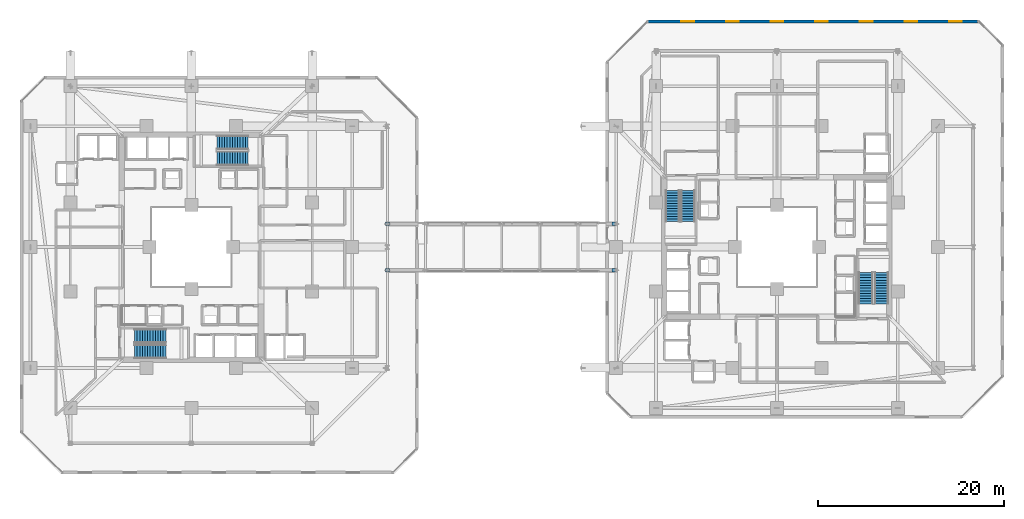
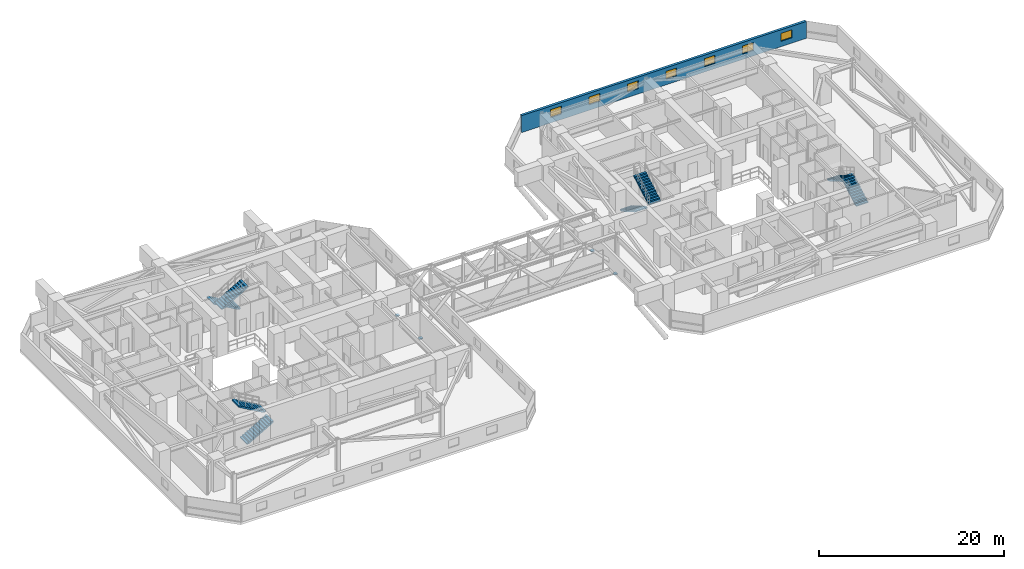
# One storey, part 36 of 38: 8 stair flights, 7 windows, 4 discrete accessories, 1 wall, 7 openings, 4 elements without a shape of their own.
"""IFC4 building model written with IfcOpenShell, lengths in metres."""

from ifc_helpers import new_model, si_unit, direction, frame, frame_2d, origin, origin_2d, place, context, subcontext, project, spatial, polyline, rectangle, outline, extrude, material, layer, layer_set, type_object, element, fill, aggregate, save


model = new_model("IFC4")

# Units and contexts
model_context = context("Model", 3, precision=1e-05, world=origin(), true_north=direction((0.0, 1.0)))
body_context = subcontext(model_context, "Body", "Model", "MODEL_VIEW")
ifc_project = project(units=[si_unit("LENGTHUNIT", "METRE"), si_unit("AREAUNIT", "SQUARE_METRE"), si_unit("VOLUMEUNIT", "CUBIC_METRE"), si_unit("PLANEANGLEUNIT", "RADIAN"), si_unit("MASSUNIT", "GRAM", prefix="KILO")], contexts=[model_context])

# Site, building, storey
site_placement = place(None, origin())
site = spatial("IfcSite", under=ifc_project, at=site_placement, CompositionType="ELEMENT")
building_placement = place(site_placement, origin())
building = spatial("IfcBuilding", under=site, at=building_placement, Name="Thornwick Lancets Civic Towers", CompositionType="ELEMENT")
storey_placement = place(building_placement, frame((0.0, 0.0, 71.699951171875)))
storey = spatial("IfcBuildingStorey", under=building, at=storey_placement, Name="L18", CompositionType="ELEMENT", Elevation=71.699951171875)

# Wall, openings, windows
ifc_material_1 = material(Name="Insulated buff terracotta rainscreen on concrete C40/50", Category="masonry")
ifc_layer = layer(ifc_material_1, 0.320068359375, Name="Insulated buff terracotta rainscreen on concrete C40/50")
ifc_layer_set = layer_set([ifc_layer], Name="Insulated buff terracotta rainscreen on concrete C40/50")
wall_type = type_object("IfcWallType", Name="WALL_EXT_TERRA_320", PredefinedType="STANDARD", material=ifc_layer_set)
wall_placement = place(storey_placement, frame((110.18115234375, 51.264892578125, 0.0), z_axis=(0.0, 0.0, 1.0), x_axis=(-0.999999986432, -0.000164732205, 0.0)))
wall = element("IfcWall", 1, at=wall_placement, inside=storey, type_object=wall_type, Name="L18 Tower B Terracotta Facade Wall E4", PredefinedType="STANDARD", context=body_context, shape_type="SweptSolid", body=[
    extrude(rectangle(XDim=35.569091796875, YDim=0.320068359375, at=frame_2d((17.78466796875, 0.0))), origin(), (0.0, 0.0, 1.0), 2.239990234375),
])
opening_1_placement = place(wall_placement, frame((1.800048828125, 0.0, 0.719970703125)))
opening_1 = element("IfcOpeningElement", 2, at=opening_1_placement, cuts=wall, Name="Opening WL-03", PredefinedType="OPENING", context=body_context, shape_type="SweptSolid", body=[
    extrude(rectangle(XDim=1.35009765625, YDim=1.050048828125, at=frame_2d((0.675048828125, 0.52490234375))), frame((0.0, 0.169921875, 0.0), z_axis=(0.0, -1.0, 0.0), x_axis=(1.0, 0.0, 0.0)), (0.0, 0.0, 1.0), 0.340087890625),
])
opening_2_placement = place(wall_placement, frame((6.60009765625, 0.0, 0.719970703125)))
opening_2 = element("IfcOpeningElement", 3, at=opening_2_placement, cuts=wall, Name="Opening WL-03", PredefinedType="OPENING", context=body_context, shape_type="SweptSolid", body=[
    extrude(rectangle(XDim=1.35009765625, YDim=1.050048828125, at=frame_2d((0.675048828125, 0.52490234375))), frame((0.0, 0.169921875, 0.0), z_axis=(0.0, -1.0, 0.0), x_axis=(1.0, 0.0, 0.0)), (0.0, 0.0, 1.0), 0.340087890625),
])
opening_3_placement = place(wall_placement, frame((11.39990234375, 0.0, 0.719970703125)))
opening_3 = element("IfcOpeningElement", 4, at=opening_3_placement, cuts=wall, Name="Opening WL-03", PredefinedType="OPENING", context=body_context, shape_type="SweptSolid", body=[
    extrude(rectangle(XDim=1.35009765625, YDim=1.050048828125, at=frame_2d((0.675048828125, 0.52490234375))), frame((0.0, 0.169921875, 0.0), z_axis=(0.0, -1.0, 0.0), x_axis=(1.0, 0.0, 0.0)), (0.0, 0.0, 1.0), 0.340087890625),
])
opening_4_placement = place(wall_placement, frame((16.199951171875, 0.0, 0.719970703125)))
opening_4 = element("IfcOpeningElement", 5, at=opening_4_placement, cuts=wall, Name="Opening WL-03", PredefinedType="OPENING", context=body_context, shape_type="SweptSolid", body=[
    extrude(rectangle(XDim=1.35009765625, YDim=1.050048828125, at=frame_2d((0.675048828125, 0.52490234375))), frame((0.0, 0.169921875, 0.0), z_axis=(0.0, -1.0, 0.0), x_axis=(1.0, 0.0, 0.0)), (0.0, 0.0, 1.0), 0.340087890625),
])
opening_5_placement = place(wall_placement, frame((21.0, 0.0, 0.719970703125)))
opening_5 = element("IfcOpeningElement", 6, at=opening_5_placement, cuts=wall, Name="Opening WL-03", PredefinedType="OPENING", context=body_context, shape_type="SweptSolid", body=[
    extrude(rectangle(XDim=1.35009765625, YDim=1.050048828125, at=frame_2d((0.675048828125, 0.52490234375))), frame((0.0, 0.169921875, 0.0), z_axis=(0.0, -1.0, 0.0), x_axis=(1.0, 0.0, 0.0)), (0.0, 0.0, 1.0), 0.340087890625),
])
opening_6_placement = place(wall_placement, frame((25.800048828125, 0.0, 0.719970703125)))
opening_6 = element("IfcOpeningElement", 7, at=opening_6_placement, cuts=wall, Name="Opening WL-03", PredefinedType="OPENING", context=body_context, shape_type="SweptSolid", body=[
    extrude(rectangle(XDim=1.35009765625, YDim=1.050048828125, at=frame_2d((0.675048828125, 0.52490234375))), frame((0.0, 0.169921875, 0.0), z_axis=(0.0, -1.0, 0.0), x_axis=(1.0, 0.0, 0.0)), (0.0, 0.0, 1.0), 0.340087890625),
])
opening_7_placement = place(wall_placement, frame((30.60009765625, 0.0, 0.719970703125)))
opening_7 = element("IfcOpeningElement", 8, at=opening_7_placement, cuts=wall, Name="Opening WL-03", PredefinedType="OPENING", context=body_context, shape_type="SweptSolid", body=[
    extrude(rectangle(XDim=1.35009765625, YDim=1.050048828125, at=frame_2d((0.675048828125, 0.52490234375))), frame((0.0, 0.169921875, 0.0), z_axis=(0.0, -1.0, 0.0), x_axis=(1.0, 0.0, 0.0)), (0.0, 0.0, 1.0), 0.340087890625),
])
ifc_material_2 = material(Name="Clear low-e double glazing clerestory lancet", Category="glass")
window_type = type_object("IfcWindowType", Name="WIN_LANCET_1350", PartitioningType="SINGLE_PANEL", PredefinedType="WINDOW", material=ifc_material_2)
window_1_placement = place(opening_1_placement, origin())
window_1 = element("IfcWindow", 9, at=window_1_placement, inside=storey, type_object=window_type, Name="L18 Tower B Staggered Lancet Window E4-1", OverallHeight=1.050048828125, OverallWidth=1.35009765625, PartitioningType="SINGLE_PANEL", PredefinedType="WINDOW", context=body_context, shape_type="SweptSolid", body=[
    extrude(rectangle(XDim=1.35009765625, YDim=1.050048828125, at=frame_2d((0.675048828125, 0.52490234375))), frame((0.0, 0.030029296875, 0.0), z_axis=(0.0, -1.0, 0.0), x_axis=(1.0, 0.0, 0.0)), (0.0, 0.0, 1.0), 0.06005859375),
])
fill(opening_1, window_1)
window_2_placement = place(opening_2_placement, origin())
window_2 = element("IfcWindow", 10, at=window_2_placement, inside=storey, type_object=window_type, Name="L18 Tower B Staggered Lancet Window E4-2", OverallHeight=1.050048828125, OverallWidth=1.35009765625, PartitioningType="SINGLE_PANEL", PredefinedType="WINDOW", context=body_context, shape_type="SweptSolid", body=[
    extrude(rectangle(XDim=1.35009765625, YDim=1.050048828125, at=frame_2d((0.675048828125, 0.52490234375))), frame((0.0, 0.030029296875, 0.0), z_axis=(0.0, -1.0, 0.0), x_axis=(1.0, 0.0, 0.0)), (0.0, 0.0, 1.0), 0.06005859375),
])
fill(opening_2, window_2)
window_3_placement = place(opening_3_placement, origin())
window_3 = element("IfcWindow", 11, at=window_3_placement, inside=storey, type_object=window_type, Name="L18 Tower B Staggered Lancet Window E4-3", OverallHeight=1.050048828125, OverallWidth=1.35009765625, PartitioningType="SINGLE_PANEL", PredefinedType="WINDOW", context=body_context, shape_type="SweptSolid", body=[
    extrude(rectangle(XDim=1.35009765625, YDim=1.050048828125, at=frame_2d((0.675048828125, 0.52490234375))), frame((0.0, 0.030029296875, 0.0), z_axis=(0.0, -1.0, 0.0), x_axis=(1.0, 0.0, 0.0)), (0.0, 0.0, 1.0), 0.06005859375),
])
fill(opening_3, window_3)
window_4_placement = place(opening_4_placement, origin())
window_4 = element("IfcWindow", 12, at=window_4_placement, inside=storey, type_object=window_type, Name="L18 Tower B Staggered Lancet Window E4-4", OverallHeight=1.050048828125, OverallWidth=1.35009765625, PartitioningType="SINGLE_PANEL", PredefinedType="WINDOW", context=body_context, shape_type="SweptSolid", body=[
    extrude(rectangle(XDim=1.35009765625, YDim=1.050048828125, at=frame_2d((0.675048828125, 0.52490234375))), frame((0.0, 0.030029296875, 0.0), z_axis=(0.0, -1.0, 0.0), x_axis=(1.0, 0.0, 0.0)), (0.0, 0.0, 1.0), 0.06005859375),
])
fill(opening_4, window_4)
window_5_placement = place(opening_5_placement, origin())
window_5 = element("IfcWindow", 13, at=window_5_placement, inside=storey, type_object=window_type, Name="L18 Tower B Staggered Lancet Window E4-5", OverallHeight=1.050048828125, OverallWidth=1.35009765625, PartitioningType="SINGLE_PANEL", PredefinedType="WINDOW", context=body_context, shape_type="SweptSolid", body=[
    extrude(rectangle(XDim=1.35009765625, YDim=1.050048828125, at=frame_2d((0.675048828125, 0.52490234375))), frame((0.0, 0.030029296875, 0.0), z_axis=(0.0, -1.0, 0.0), x_axis=(1.0, 0.0, 0.0)), (0.0, 0.0, 1.0), 0.06005859375),
])
fill(opening_5, window_5)
window_6_placement = place(opening_6_placement, origin())
window_6 = element("IfcWindow", 14, at=window_6_placement, inside=storey, type_object=window_type, Name="L18 Tower B Staggered Lancet Window E4-6", OverallHeight=1.050048828125, OverallWidth=1.35009765625, PartitioningType="SINGLE_PANEL", PredefinedType="WINDOW", context=body_context, shape_type="SweptSolid", body=[
    extrude(rectangle(XDim=1.35009765625, YDim=1.050048828125, at=frame_2d((0.675048828125, 0.52490234375))), frame((0.0, 0.030029296875, 0.0), z_axis=(0.0, -1.0, 0.0), x_axis=(1.0, 0.0, 0.0)), (0.0, 0.0, 1.0), 0.06005859375),
])
fill(opening_6, window_6)
window_7_placement = place(opening_7_placement, origin())
window_7 = element("IfcWindow", 15, at=window_7_placement, inside=storey, type_object=window_type, Name="L18 Tower B Staggered Lancet Window E4-7", OverallHeight=1.050048828125, OverallWidth=1.35009765625, PartitioningType="SINGLE_PANEL", PredefinedType="WINDOW", context=body_context, shape_type="SweptSolid", body=[
    extrude(rectangle(XDim=1.35009765625, YDim=1.050048828125, at=frame_2d((0.675048828125, 0.52490234375))), frame((0.0, 0.030029296875, 0.0), z_axis=(0.0, -1.0, 0.0), x_axis=(1.0, 0.0, 0.0)), (0.0, 0.0, 1.0), 0.06005859375),
])
fill(opening_7, window_7)

# Stair, stair flights
ifc_material_3 = material(Name="Concrete C40/50", Category="concrete")
stair_type = type_object("IfcStairType", Name="STAIR_DL_4200", PredefinedType="HALF_TURN_STAIR", material=ifc_material_3)
stair_1_placement = place(storey_placement, origin())
stair_1 = element("IfcStair", 16, at=stair_1_placement, inside=storey, type_object=stair_type, Name="L18 Tower A South Exit Stair ST-A1", PredefinedType="HALF_TURN_STAIR")
stair_flight_type = type_object("IfcStairFlightType", Name="FLIGHT_4200", PredefinedType="STRAIGHT", material=ifc_material_3)
stair_flight_1_placement = place(storey_placement, frame((19.39990234375, 15.75, 0.0), z_axis=(0.0, 0.0, 1.0), x_axis=(1.0, 0.0, 0.0)))
stair_flight_1 = element("IfcStairFlight", 17, at=stair_flight_1_placement, type_object=stair_flight_type, Name="ST-A1 flight 1", NumberOfRisers=13, NumberOfTreads=12, PredefinedType="STRAIGHT", RiserHeight=0.161538462, TreadLength=0.28, context=body_context, shape_type="SweptSolid", body=[
    extrude(outline(polyline([(0.0, 0.0), (0.0, 0.16162109375), (0.280029296875, 0.16162109375), (0.280029296875, 0.322998046875), (0.56005859375, 0.322998046875), (0.56005859375, 0.484619140625), (0.840087890625, 0.484619140625), (0.840087890625, 0.646240234375), (1.1201171875, 0.646240234375), (1.1201171875, 0.8076171875), (1.39990234375, 0.8076171875), (1.39990234375, 0.96923828125), (1.679931640625, 0.96923828125), (1.679931640625, 1.130859375), (1.9599609375, 1.130859375), (1.9599609375, 1.292236328125), (2.239990234375, 1.292236328125), (2.239990234375, 1.453857421875), (2.52001953125, 1.453857421875), (2.52001953125, 1.615478515625), (2.800048828125, 1.615478515625), (2.800048828125, 1.77685546875), (3.080078125, 1.77685546875), (3.080078125, 1.9384765625), (3.360107421875, 1.9384765625), (3.360107421875, 2.10009765625), (3.360107421875, 1.765380859375), (0.300048828125, 0.0), (0.0, 0.0)])), frame((0.0, 0.75, 0.0), z_axis=(0.0, -1.0, 0.0), x_axis=(1.0, 0.0, 0.0)), (0.0, 0.0, 1.0), 1.5),
])
stair_flight_2_placement = place(storey_placement, frame((22.760009765625, 17.449951171875, 2.10009765625), z_axis=(0.0, 0.0, 1.0), x_axis=(-1.0, 0.0, 0.0)))
stair_flight_2 = element("IfcStairFlight", 18, at=stair_flight_2_placement, type_object=stair_flight_type, Name="ST-A1 flight 2", NumberOfRisers=13, NumberOfTreads=12, PredefinedType="STRAIGHT", RiserHeight=0.161538462, TreadLength=0.28, context=body_context, shape_type="SweptSolid", body=[
    extrude(outline(polyline([(0.0, 0.0), (0.0, 0.16162109375), (0.280029296875, 0.16162109375), (0.280029296875, 0.322998046875), (0.56005859375, 0.322998046875), (0.56005859375, 0.484619140625), (0.840087890625, 0.484619140625), (0.840087890625, 0.646240234375), (1.1201171875, 0.646240234375), (1.1201171875, 0.8076171875), (1.39990234375, 0.8076171875), (1.39990234375, 0.96923828125), (1.679931640625, 0.96923828125), (1.679931640625, 1.130859375), (1.9599609375, 1.130859375), (1.9599609375, 1.292236328125), (2.239990234375, 1.292236328125), (2.239990234375, 1.453857421875), (2.52001953125, 1.453857421875), (2.52001953125, 1.615478515625), (2.800048828125, 1.615478515625), (2.800048828125, 1.77685546875), (3.080078125, 1.77685546875), (3.080078125, 1.9384765625), (3.360107421875, 1.9384765625), (3.360107421875, 2.10009765625), (3.360107421875, 1.765380859375), (0.300048828125, 0.0), (0.0, 0.0)])), frame((0.0, 0.75, 0.0), z_axis=(0.0, -1.0, 0.0), x_axis=(1.0, 0.0, 0.0)), (0.0, 0.0, 1.0), 1.5),
])
aggregate(stair_1, [stair_flight_1, stair_flight_2])

stair_2_placement = place(storey_placement, origin())
stair_2 = element("IfcStair", 19, at=stair_2_placement, inside=storey, type_object=stair_type, Name="L18 Tower A North Exit Stair ST-A2", PredefinedType="HALF_TURN_STAIR")
stair_flight_3_placement = place(storey_placement, frame((31.60009765625, 38.25, 0.0), z_axis=(0.0, 0.0, 1.0), x_axis=(-1.0, 0.0, 0.0)))
stair_flight_3 = element("IfcStairFlight", 20, at=stair_flight_3_placement, type_object=stair_flight_type, Name="ST-A2 flight 1", NumberOfRisers=13, NumberOfTreads=12, PredefinedType="STRAIGHT", RiserHeight=0.161538462, TreadLength=0.28, context=body_context, shape_type="SweptSolid", body=[
    extrude(outline(polyline([(0.0, 0.0), (0.0, 0.16162109375), (0.280029296875, 0.16162109375), (0.280029296875, 0.322998046875), (0.56005859375, 0.322998046875), (0.56005859375, 0.484619140625), (0.840087890625, 0.484619140625), (0.840087890625, 0.646240234375), (1.1201171875, 0.646240234375), (1.1201171875, 0.8076171875), (1.39990234375, 0.8076171875), (1.39990234375, 0.96923828125), (1.679931640625, 0.96923828125), (1.679931640625, 1.130859375), (1.9599609375, 1.130859375), (1.9599609375, 1.292236328125), (2.239990234375, 1.292236328125), (2.239990234375, 1.453857421875), (2.52001953125, 1.453857421875), (2.52001953125, 1.615478515625), (2.800048828125, 1.615478515625), (2.800048828125, 1.77685546875), (3.080078125, 1.77685546875), (3.080078125, 1.9384765625), (3.360107421875, 1.9384765625), (3.360107421875, 2.10009765625), (3.360107421875, 1.765380859375), (0.300048828125, 0.0), (0.0, 0.0)])), frame((0.0, 0.75, 0.0), z_axis=(0.0, -1.0, 0.0), x_axis=(1.0, 0.0, 0.0)), (0.0, 0.0, 1.0), 1.5),
])
stair_flight_4_placement = place(storey_placement, frame((28.239990234375, 36.550048828125, 2.10009765625), z_axis=(0.0, 0.0, 1.0), x_axis=(1.0, 0.0, 0.0)))
stair_flight_4 = element("IfcStairFlight", 21, at=stair_flight_4_placement, type_object=stair_flight_type, Name="ST-A2 flight 2", NumberOfRisers=13, NumberOfTreads=12, PredefinedType="STRAIGHT", RiserHeight=0.161538462, TreadLength=0.28, context=body_context, shape_type="SweptSolid", body=[
    extrude(outline(polyline([(0.0, 0.0), (0.0, 0.16162109375), (0.280029296875, 0.16162109375), (0.280029296875, 0.322998046875), (0.56005859375, 0.322998046875), (0.56005859375, 0.484619140625), (0.840087890625, 0.484619140625), (0.840087890625, 0.646240234375), (1.1201171875, 0.646240234375), (1.1201171875, 0.8076171875), (1.39990234375, 0.8076171875), (1.39990234375, 0.96923828125), (1.679931640625, 0.96923828125), (1.679931640625, 1.130859375), (1.9599609375, 1.130859375), (1.9599609375, 1.292236328125), (2.239990234375, 1.292236328125), (2.239990234375, 1.453857421875), (2.52001953125, 1.453857421875), (2.52001953125, 1.615478515625), (2.800048828125, 1.615478515625), (2.800048828125, 1.77685546875), (3.080078125, 1.77685546875), (3.080078125, 1.9384765625), (3.360107421875, 1.9384765625), (3.360107421875, 2.10009765625), (3.360107421875, 1.765380859375), (0.300048828125, 0.0), (0.0, 0.0)])), frame((0.0, 0.75, 0.0), z_axis=(0.0, -1.0, 0.0), x_axis=(1.0, 0.0, 0.0)), (0.0, 0.0, 1.0), 1.5),
])
aggregate(stair_2, [stair_flight_3, stair_flight_4])

stair_3_placement = place(storey_placement, origin())
stair_3 = element("IfcStair", 22, at=stair_3_placement, inside=storey, type_object=stair_type, Name="L18 Tower B East Exit Stair ST-B1", PredefinedType="HALF_TURN_STAIR")
stair_flight_5_placement = place(storey_placement, frame((99.75, 20.89990234375, 0.0), z_axis=(0.0, 0.0, 1.0), x_axis=(0.0, 1.0, 0.0)))
stair_flight_5 = element("IfcStairFlight", 23, at=stair_flight_5_placement, type_object=stair_flight_type, Name="ST-B1 flight 1", NumberOfRisers=13, NumberOfTreads=12, PredefinedType="STRAIGHT", RiserHeight=0.161538462, TreadLength=0.28, context=body_context, shape_type="SweptSolid", body=[
    extrude(outline(polyline([(0.0, 0.0), (0.0, 0.16162109375), (0.280029296875, 0.16162109375), (0.280029296875, 0.322998046875), (0.56005859375, 0.322998046875), (0.56005859375, 0.484619140625), (0.840087890625, 0.484619140625), (0.840087890625, 0.646240234375), (1.1201171875, 0.646240234375), (1.1201171875, 0.8076171875), (1.39990234375, 0.8076171875), (1.39990234375, 0.96923828125), (1.679931640625, 0.96923828125), (1.679931640625, 1.130859375), (1.9599609375, 1.130859375), (1.9599609375, 1.292236328125), (2.239990234375, 1.292236328125), (2.239990234375, 1.453857421875), (2.52001953125, 1.453857421875), (2.52001953125, 1.615478515625), (2.800048828125, 1.615478515625), (2.800048828125, 1.77685546875), (3.080078125, 1.77685546875), (3.080078125, 1.9384765625), (3.360107421875, 1.9384765625), (3.360107421875, 2.10009765625), (3.360107421875, 1.765380859375), (0.300048828125, 0.0), (0.0, 0.0)])), frame((0.0, 0.75, 0.0), z_axis=(0.0, -1.0, 0.0), x_axis=(1.0, 0.0, 0.0)), (0.0, 0.0, 1.0), 1.5),
])
stair_flight_6_placement = place(storey_placement, frame((98.050048828125, 24.260009765625, 2.10009765625), z_axis=(0.0, 0.0, 1.0), x_axis=(0.0, -1.0, 0.0)))
stair_flight_6 = element("IfcStairFlight", 24, at=stair_flight_6_placement, type_object=stair_flight_type, Name="ST-B1 flight 2", NumberOfRisers=13, NumberOfTreads=12, PredefinedType="STRAIGHT", RiserHeight=0.161538462, TreadLength=0.28, context=body_context, shape_type="SweptSolid", body=[
    extrude(outline(polyline([(0.0, 0.0), (0.0, 0.16162109375), (0.280029296875, 0.16162109375), (0.280029296875, 0.322998046875), (0.56005859375, 0.322998046875), (0.56005859375, 0.484619140625), (0.840087890625, 0.484619140625), (0.840087890625, 0.646240234375), (1.1201171875, 0.646240234375), (1.1201171875, 0.8076171875), (1.39990234375, 0.8076171875), (1.39990234375, 0.96923828125), (1.679931640625, 0.96923828125), (1.679931640625, 1.130859375), (1.9599609375, 1.130859375), (1.9599609375, 1.292236328125), (2.239990234375, 1.292236328125), (2.239990234375, 1.453857421875), (2.52001953125, 1.453857421875), (2.52001953125, 1.615478515625), (2.800048828125, 1.615478515625), (2.800048828125, 1.77685546875), (3.080078125, 1.77685546875), (3.080078125, 1.9384765625), (3.360107421875, 1.9384765625), (3.360107421875, 2.10009765625), (3.360107421875, 1.765380859375), (0.300048828125, 0.0), (0.0, 0.0)])), frame((0.0, 0.75, 0.0), z_axis=(0.0, -1.0, 0.0), x_axis=(1.0, 0.0, 0.0)), (0.0, 0.0, 1.0), 1.5),
])
aggregate(stair_3, [stair_flight_5, stair_flight_6])

stair_4_placement = place(storey_placement, origin())
stair_4 = element("IfcStair", 25, at=stair_4_placement, inside=storey, type_object=stair_type, Name="L18 Tower B West Exit Stair ST-B2", PredefinedType="HALF_TURN_STAIR")
stair_flight_7_placement = place(storey_placement, frame((77.25, 33.10009765625, 0.0), z_axis=(0.0, 0.0, 1.0), x_axis=(0.0, -1.0, 0.0)))
stair_flight_7 = element("IfcStairFlight", 26, at=stair_flight_7_placement, type_object=stair_flight_type, Name="ST-B2 flight 1", NumberOfRisers=13, NumberOfTreads=12, PredefinedType="STRAIGHT", RiserHeight=0.161538462, TreadLength=0.28, context=body_context, shape_type="SweptSolid", body=[
    extrude(outline(polyline([(0.0, 0.0), (0.0, 0.16162109375), (0.280029296875, 0.16162109375), (0.280029296875, 0.322998046875), (0.56005859375, 0.322998046875), (0.56005859375, 0.484619140625), (0.840087890625, 0.484619140625), (0.840087890625, 0.646240234375), (1.1201171875, 0.646240234375), (1.1201171875, 0.8076171875), (1.39990234375, 0.8076171875), (1.39990234375, 0.96923828125), (1.679931640625, 0.96923828125), (1.679931640625, 1.130859375), (1.9599609375, 1.130859375), (1.9599609375, 1.292236328125), (2.239990234375, 1.292236328125), (2.239990234375, 1.453857421875), (2.52001953125, 1.453857421875), (2.52001953125, 1.615478515625), (2.800048828125, 1.615478515625), (2.800048828125, 1.77685546875), (3.080078125, 1.77685546875), (3.080078125, 1.9384765625), (3.360107421875, 1.9384765625), (3.360107421875, 2.10009765625), (3.360107421875, 1.765380859375), (0.300048828125, 0.0), (0.0, 0.0)])), frame((0.0, 0.75, 0.0), z_axis=(0.0, -1.0, 0.0), x_axis=(1.0, 0.0, 0.0)), (0.0, 0.0, 1.0), 1.5),
])
stair_flight_8_placement = place(storey_placement, frame((78.949951171875, 29.739990234375, 2.10009765625), z_axis=(0.0, 0.0, 1.0), x_axis=(0.0, 1.0, 0.0)))
stair_flight_8 = element("IfcStairFlight", 27, at=stair_flight_8_placement, type_object=stair_flight_type, Name="ST-B2 flight 2", NumberOfRisers=13, NumberOfTreads=12, PredefinedType="STRAIGHT", RiserHeight=0.161538462, TreadLength=0.28, context=body_context, shape_type="SweptSolid", body=[
    extrude(outline(polyline([(0.0, 0.0), (0.0, 0.16162109375), (0.280029296875, 0.16162109375), (0.280029296875, 0.322998046875), (0.56005859375, 0.322998046875), (0.56005859375, 0.484619140625), (0.840087890625, 0.484619140625), (0.840087890625, 0.646240234375), (1.1201171875, 0.646240234375), (1.1201171875, 0.8076171875), (1.39990234375, 0.8076171875), (1.39990234375, 0.96923828125), (1.679931640625, 0.96923828125), (1.679931640625, 1.130859375), (1.9599609375, 1.130859375), (1.9599609375, 1.292236328125), (2.239990234375, 1.292236328125), (2.239990234375, 1.453857421875), (2.52001953125, 1.453857421875), (2.52001953125, 1.615478515625), (2.800048828125, 1.615478515625), (2.800048828125, 1.77685546875), (3.080078125, 1.77685546875), (3.080078125, 1.9384765625), (3.360107421875, 1.9384765625), (3.360107421875, 2.10009765625), (3.360107421875, 1.765380859375), (0.300048828125, 0.0), (0.0, 0.0)])), frame((0.0, 0.75, 0.0), z_axis=(0.0, -1.0, 0.0), x_axis=(1.0, 0.0, 0.0)), (0.0, 0.0, 1.0), 1.5),
])
aggregate(stair_4, [stair_flight_7, stair_flight_8])

# Discrete accessories
ifc_material_4 = material(Name="Steel S460M", Category="steel")
discrete_accessory_type_1 = type_object("IfcDiscreteAccessoryType", Name="ACC_PIN_BEARING", PredefinedType="USERDEFINED", material=ifc_material_4)
for number, where, z_axis, x_axis, name in (
    (28, (46.60009765625, 24.5, -1.260986328125), (0.0, 0.0, 1.0), (1.0, 0.0, 0.0), "L18 Skybridge Pinned Bearing A1"),
    (29, (46.60009765625, 29.5, -1.260986328125), (0.0, 0.0, 1.0), (1.0, 0.0, 0.0), "L18 Skybridge Pinned Bearing A2"),
):
    element("IfcDiscreteAccessory", number, at=place(storey_placement, frame(where, z_axis=z_axis, x_axis=x_axis)), inside=storey, type_object=discrete_accessory_type_1, Name=name, ObjectType="PINNED_BEARING", PredefinedType="USERDEFINED", context=body_context, shape_type="SweptSolid", body=[
        extrude(rectangle(XDim=0.39990234375, YDim=0.39990234375, at=origin_2d()), origin(), (0.0, 0.0, 1.0), 0.1201171875),
    ])
discrete_accessory_type_2 = type_object("IfcDiscreteAccessoryType", Name="ACC_SLIDE_BEARING", PredefinedType="USERDEFINED", material=ifc_material_4)
for number, where, z_axis, x_axis, name in (
    (30, (70.949951171875, 24.5, -1.260986328125), (0.0, 0.0, 1.0), (1.0, 0.0, 0.0), "L18 Skybridge Sliding Bearing B1"),
    (31, (70.949951171875, 29.5, -1.260986328125), (0.0, 0.0, 1.0), (1.0, 0.0, 0.0), "L18 Skybridge Sliding Bearing B2"),
):
    element("IfcDiscreteAccessory", number, at=place(storey_placement, frame(where, z_axis=z_axis, x_axis=x_axis)), inside=storey, type_object=discrete_accessory_type_2, Name=name, ObjectType="SLIDING_BEARING", PredefinedType="USERDEFINED", context=body_context, shape_type="SweptSolid", body=[
        extrude(rectangle(XDim=0.39990234375, YDim=0.39990234375, at=origin_2d()), origin(), (0.0, 0.0, 1.0), 0.1201171875),
    ])

save(model, "model.ifc")
